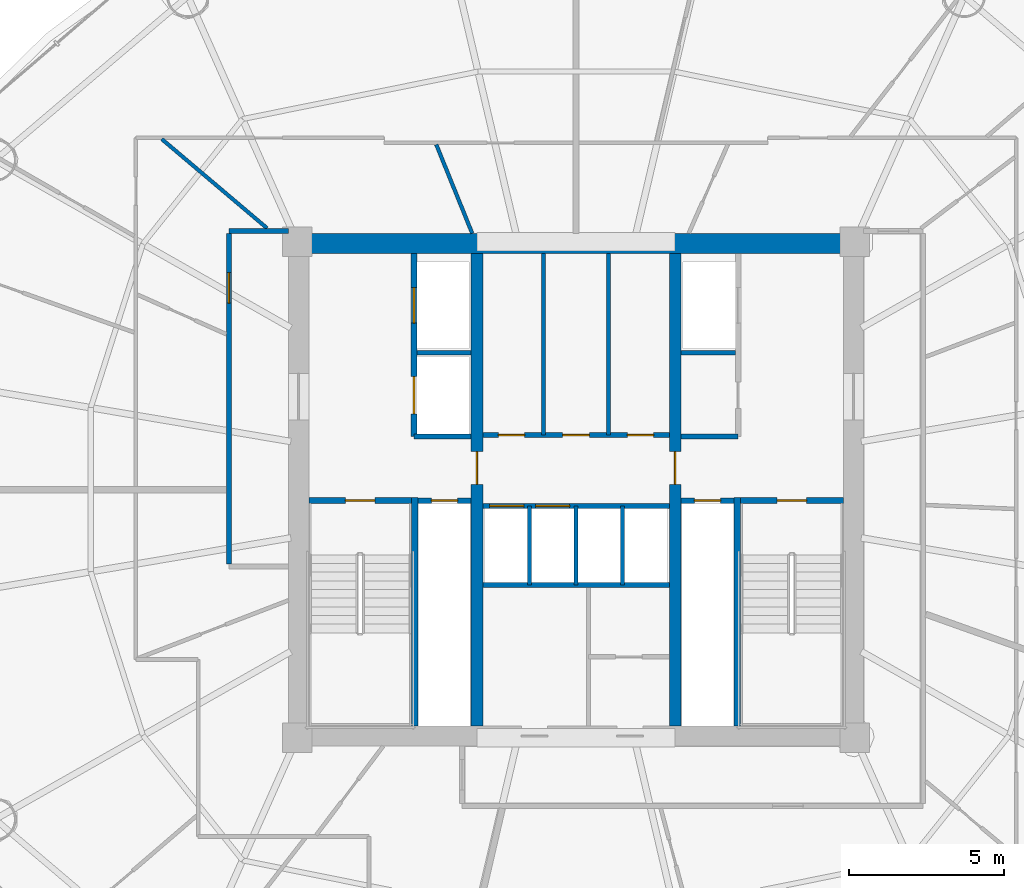
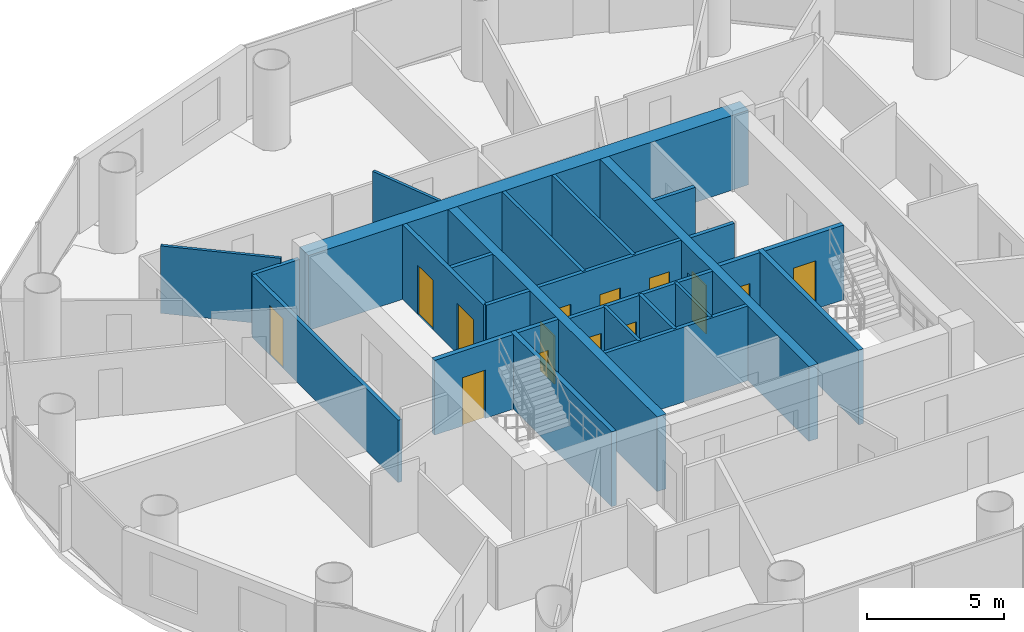
# One storey, part 21 of 26: 26 walls, 14 doors, 14 openings.
"""IFC4 building model written with IfcOpenShell, lengths in metres."""

from ifc_helpers import new_model, si_unit, direction, frame, frame_2d, origin, place, context, subcontext, project, spatial, rectangle, extrude, source, transform, mapped, material, layer, layer_set, type_object, element, fill, save


model = new_model("IFC4")

# Units and contexts
model_context = context("Model", 3, precision=1e-05, world=origin(), true_north=direction((-0.2419218956, 0.970295726276)))
body_context = subcontext(model_context, "Body", "Model", "MODEL_VIEW")
ifc_project = project(units=[si_unit("LENGTHUNIT", "METRE"), si_unit("AREAUNIT", "SQUARE_METRE"), si_unit("VOLUMEUNIT", "CUBIC_METRE"), si_unit("PLANEANGLEUNIT", "RADIAN"), si_unit("MASSUNIT", "GRAM", prefix="KILO")], contexts=[model_context])

# Site, building, storey
site_placement = place(None, origin())
site = spatial("IfcSite", under=ifc_project, at=site_placement, CompositionType="ELEMENT")
building_placement = place(site_placement, origin())
building = spatial("IfcBuilding", under=site, at=building_placement, Name="Cobrevalo Terracotta Tower", CompositionType="ELEMENT")
storey_placement = place(building_placement, frame((0.0, 0.0, 178.60009765625)))
storey = spatial("IfcBuildingStorey", under=building, at=storey_placement, Name="L47", CompositionType="ELEMENT", Elevation=178.60009765625)

# Walls
ifc_material_1 = material(Name="Concrete C55", Category="concrete")
ifc_layer_1 = layer(ifc_material_1, 0.64990234375)
ifc_layer_set_1 = layer_set([ifc_layer_1], Name="Concrete C55")
wall_type_1 = type_object("IfcWallType", Name="Core shear wall 650 mm Concrete C55", PredefinedType="SHEAR", material=ifc_layer_set_1)
wall_1_placement = place(storey_placement, frame((28.72509765625, 34.75, 0.0), z_axis=(0.0, 0.0, 1.0), x_axis=(1.0, 0.0, 0.0)))
element("IfcWall", 1, at=wall_1_placement, inside=storey, type_object=wall_type_1, Name="L47 north core shear wall", PredefinedType="SHEAR", context=body_context, shape_type="SweptSolid", body=[
    extrude(rectangle(XDim=18.5498046875, YDim=0.64990234375, at=frame_2d((9.27490234375, 0.0))), origin(), (0.0, 0.0, 1.0), 3.329833984375),
])
ifc_material_2 = material(Name="Gypsum board on steel stud", Category="steel")
ifc_layer_2 = layer(ifc_material_2, 0.159912109375)
ifc_layer_set_2 = layer_set([ifc_layer_2], Name="Gypsum board on steel stud")
wall_type_2 = type_object("IfcWallType", Name="Fire-rated corridor acoustic partition wall 160 mm", PredefinedType="PARTITIONING", material=ifc_layer_set_2)
wall_2_placement = place(storey_placement, frame((32.860107421875, 31.219970703125, 0.0), z_axis=(0.0, 0.0, 1.0), x_axis=(1.0, 0.0, 0.0)))
element("IfcWall", 2, at=wall_2_placement, inside=storey, type_object=wall_type_2, Name="L47 interior partition IW-L47-FF1-M", PredefinedType="PARTITIONING", context=body_context, shape_type="SweptSolid", body=[
    extrude(rectangle(XDim=1.75, YDim=0.159912109375, at=frame_2d((0.875, 0.0))), origin(), (0.0, 0.0, 1.0), 3.329833984375),
])
wall_3_placement = place(storey_placement, frame((32.77001953125, 28.52001953125, 0.0), z_axis=(0.0, 0.0, 1.0), x_axis=(1.0, 0.0, 0.0)))
element("IfcWall", 3, at=wall_3_placement, inside=storey, type_object=wall_type_2, Name="L47 interior partition IW-L47-FF1-S", PredefinedType="PARTITIONING", context=body_context, shape_type="SweptSolid", body=[
    extrude(rectangle(XDim=1.840087890625, YDim=0.159912109375, at=frame_2d((0.919921875, 0.0))), origin(), (0.0, 0.0, 1.0), 3.329833984375),
])
wall_4_placement = place(storey_placement, frame((41.389892578125, 31.219970703125, 0.0), z_axis=(0.0, 0.0, 1.0), x_axis=(1.0, 0.0, 0.0)))
element("IfcWall", 4, at=wall_4_placement, inside=storey, type_object=wall_type_2, Name="L47 interior partition IW-L47-FF2-M", PredefinedType="PARTITIONING", context=body_context, shape_type="SweptSolid", body=[
    extrude(rectangle(XDim=1.75, YDim=0.159912109375, at=frame_2d((0.875, 0.0))), origin(), (0.0, 0.0, 1.0), 3.329833984375),
])
wall_5_placement = place(storey_placement, frame((41.389892578125, 28.52001953125, 0.0), z_axis=(0.0, 0.0, 1.0), x_axis=(1.0, 0.0, 0.0)))
element("IfcWall", 5, at=wall_5_placement, inside=storey, type_object=wall_type_2, Name="L47 interior partition IW-L47-FF2-S", PredefinedType="PARTITIONING", context=body_context, shape_type="SweptSolid", body=[
    extrude(rectangle(XDim=1.840087890625, YDim=0.159912109375, at=frame_2d((0.919921875, 0.0))), origin(), (0.0, 0.0, 1.0), 3.329833984375),
])

# Wall, openings, doors
wall_6_placement = place(storey_placement, frame((34.989990234375, 28.56005859375, 0.0), z_axis=(0.0, 0.0, 1.0), x_axis=(1.0, 0.0, 0.0)))
wall_6 = element("IfcWall", 6, at=wall_6_placement, inside=storey, type_object=wall_type_2, Name="L47 interior partition IW-L47-LB-S", PredefinedType="PARTITIONING", context=body_context, shape_type="SweptSolid", body=[
    extrude(rectangle(XDim=6.02001953125, YDim=0.159912109375, at=frame_2d((3.010009765625, 0.0))), origin(), (0.0, 0.0, 1.0), 3.329833984375),
])
opening_1_placement = place(wall_6_placement, frame((0.5048828125, 0.0, 0.0)))
opening_1 = element("IfcOpeningElement", 7, at=opening_1_placement, cuts=wall_6, Name="Opening ID-22", PredefinedType="OPENING", context=body_context, shape_type="SweptSolid", body=[
    extrude(rectangle(XDim=0.85009765625, YDim=2.10009765625, at=frame_2d((0.425048828125, 1.050048828125))), frame((0.0, 0.08984375, 0.0), z_axis=(0.0, -1.0, 0.0), x_axis=(1.0, 0.0, 0.0)), (0.0, 0.0, 1.0), 0.179931640625),
])
opening_2_placement = place(wall_6_placement, frame((2.580078125, 0.0, 0.0)))
opening_2 = element("IfcOpeningElement", 8, at=opening_2_placement, cuts=wall_6, Name="Opening ID-07", PredefinedType="OPENING", context=body_context, shape_type="SweptSolid", body=[
    extrude(rectangle(XDim=0.860107421875, YDim=2.10009765625, at=frame_2d((0.43017578125, 1.050048828125))), frame((0.0, 0.08984375, 0.0), z_axis=(0.0, -1.0, 0.0), x_axis=(1.0, 0.0, 0.0)), (0.0, 0.0, 1.0), 0.179931640625),
])
opening_3_placement = place(wall_6_placement, frame((4.6650390625, 0.0, 0.0)))
opening_3 = element("IfcOpeningElement", 9, at=opening_3_placement, cuts=wall_6, Name="Opening ID-22", PredefinedType="OPENING", context=body_context, shape_type="SweptSolid", body=[
    extrude(rectangle(XDim=0.85009765625, YDim=2.10009765625, at=frame_2d((0.425048828125, 1.050048828125))), frame((0.0, 0.08984375, 0.0), z_axis=(0.0, -1.0, 0.0), x_axis=(1.0, 0.0, 0.0)), (0.0, 0.0, 1.0), 0.179931640625),
])
ifc_material_3 = material(Name="Powder-coated steel", Category="steel")
door_type_1 = type_object("IfcDoorType", Name="Riser shaft & meter closet fire access door 850x2100 EI 60", OperationType="NOTDEFINED", PredefinedType="DOOR", material=ifc_material_3)
shared_shape_1 = source(origin(), body_context, "Body", "SweptSolid", [
    extrude(rectangle(XDim=0.85009765625, YDim=2.10009765625, at=frame_2d((0.425048828125, 1.050048828125))), frame((0.0, 0.02490234375, 0.0), z_axis=(0.0, -1.0, 0.0), x_axis=(1.0, 0.0, 0.0)), (0.0, 0.0, 1.0), 0.050048828125),
])
door_1_placement = place(opening_1_placement, origin())
door_1 = element("IfcDoor", 10, at=door_1_placement, inside=storey, type_object=door_type_1, Name="L47 core service door Housekeeping Linen Store", OperationType="SINGLE_SWING_LEFT", OverallHeight=2.10009765625, OverallWidth=0.85009765625, PredefinedType="DOOR", context=body_context, shape_type="MappedRepresentation", body=[
    mapped(shared_shape_1, transform((0.0, 0.0, 0.0), scale=1.0)),
])
fill(opening_1, door_1)
door_2_placement = place(opening_3_placement, origin())
door_2 = element("IfcDoor", 11, at=door_2_placement, inside=storey, type_object=door_type_1, Name="L47 core service door Floor BMS Mechanical Plant", OperationType="SINGLE_SWING_LEFT", OverallHeight=2.10009765625, OverallWidth=0.85009765625, PredefinedType="DOOR", context=body_context, shape_type="MappedRepresentation", body=[
    mapped(shared_shape_1, transform((0.0, 0.0, 0.0), scale=1.0)),
])
fill(opening_3, door_2)
ifc_material_4 = material(Name="Fire-rated moisture-sealed timber", Category="wood")
door_type_2 = type_object("IfcDoorType", Name="Core & podium fire-rated accessible WC door 860x2100 EI 60", OperationType="NOTDEFINED", PredefinedType="DOOR", material=ifc_material_4)
shared_shape_2 = source(origin(), body_context, "Body", "SweptSolid", [
    extrude(rectangle(XDim=0.860107421875, YDim=2.10009765625, at=frame_2d((0.43017578125, 1.050048828125))), frame((0.0, 0.02490234375, 0.0), z_axis=(0.0, -1.0, 0.0), x_axis=(1.0, 0.0, 0.0)), (0.0, 0.0, 1.0), 0.050048828125),
])
door_3_placement = place(opening_2_placement, origin())
door_3 = element("IfcDoor", 12, at=door_3_placement, inside=storey, type_object=door_type_2, Name="L47 core service door Floor Service Toilet WC", OperationType="SINGLE_SWING_RIGHT", OverallHeight=2.10009765625, OverallWidth=0.860107421875, PredefinedType="DOOR", context=body_context, shape_type="MappedRepresentation", body=[
    mapped(shared_shape_2, transform((0.0, 0.0, 0.0), scale=1.0)),
])
fill(opening_2, door_3)

wall_7_placement = place(storey_placement, frame((34.989990234375, 26.280029296875, 0.0), z_axis=(0.0, 0.0, 1.0), x_axis=(1.0, 0.0, 0.0)))
wall_7 = element("IfcWall", 13, at=wall_7_placement, inside=storey, type_object=wall_type_2, Name="L47 interior partition IW-L47-MB-N", PredefinedType="PARTITIONING", context=body_context, shape_type="SweptSolid", body=[
    extrude(rectangle(XDim=6.02001953125, YDim=0.159912109375, at=frame_2d((3.010009765625, 0.0))), origin(), (0.0, 0.0, 1.0), 3.329833984375),
])
opening_4_placement = place(wall_7_placement, frame((0.22509765625, 0.0, 0.0)))
opening_4 = element("IfcOpeningElement", 14, at=opening_4_placement, cuts=wall_7, Name="Opening LD-01", PredefinedType="OPENING", context=body_context, shape_type="SweptSolid", body=[
    extrude(rectangle(XDim=1.10009765625, YDim=2.199951171875, at=frame_2d((0.550048828125, 1.10009765625))), frame((0.0, 0.08984375, 0.0), z_axis=(0.0, -1.0, 0.0), x_axis=(1.0, 0.0, 0.0)), (0.0, 0.0, 1.0), 0.179931640625),
])
opening_5_placement = place(wall_7_placement, frame((1.705078125, 0.0, 0.0)))
opening_5 = element("IfcOpeningElement", 15, at=opening_5_placement, cuts=wall_7, Name="Opening LD-01", PredefinedType="OPENING", context=body_context, shape_type="SweptSolid", body=[
    extrude(rectangle(XDim=1.10009765625, YDim=2.199951171875, at=frame_2d((0.550048828125, 1.10009765625))), frame((0.0, 0.08984375, 0.0), z_axis=(0.0, -1.0, 0.0), x_axis=(1.0, 0.0, 0.0)), (0.0, 0.0, 1.0), 0.179931640625),
])
ifc_material_5 = material(Name="Brushed stainless steel", Category="steel")
door_type_3 = type_object("IfcDoorType", Name="Passenger lift landing bi-parting sliding door 1100x2200 EI 90", OperationType="DOUBLE_DOOR_SLIDING", PredefinedType="DOOR", material=ifc_material_5)
shared_shape_3 = source(origin(), body_context, "Body", "SweptSolid", [
    extrude(rectangle(XDim=1.10009765625, YDim=2.199951171875, at=frame_2d((0.550048828125, 1.10009765625))), frame((0.0, 0.02490234375, 0.0), z_axis=(0.0, -1.0, 0.0), x_axis=(1.0, 0.0, 0.0)), (0.0, 0.0, 1.0), 0.050048828125),
])
door_4_placement = place(opening_4_placement, origin())
door_4 = element("IfcDoor", 16, at=door_4_placement, inside=storey, type_object=door_type_3, Name="L47 lift landing door PL-M1", OperationType="DOUBLE_DOOR_SLIDING", OverallHeight=2.199951171875, OverallWidth=1.10009765625, PredefinedType="DOOR", context=body_context, shape_type="MappedRepresentation", body=[
    mapped(shared_shape_3, transform((0.0, 0.0, 0.0), scale=1.0)),
])
fill(opening_4, door_4)
door_5_placement = place(opening_5_placement, origin())
door_5 = element("IfcDoor", 17, at=door_5_placement, inside=storey, type_object=door_type_3, Name="L47 lift landing door PL-M2", OperationType="DOUBLE_DOOR_SLIDING", OverallHeight=2.199951171875, OverallWidth=1.10009765625, PredefinedType="DOOR", context=body_context, shape_type="MappedRepresentation", body=[
    mapped(shared_shape_3, transform((0.0, 0.0, 0.0), scale=1.0)),
])
fill(opening_5, door_5)

# Wall
wall_8_placement = place(storey_placement, frame((34.989990234375, 23.719970703125, 0.0), z_axis=(0.0, 0.0, 1.0), x_axis=(1.0, 0.0, 0.0)))
element("IfcWall", 18, at=wall_8_placement, inside=storey, type_object=wall_type_2, Name="L47 interior partition IW-L47-MB-S", PredefinedType="PARTITIONING", context=body_context, shape_type="SweptSolid", body=[
    extrude(rectangle(XDim=6.02001953125, YDim=0.159912109375, at=frame_2d((3.010009765625, 0.0))), origin(), (0.0, 0.0, 1.0), 3.329833984375),
])

# Wall, opening, door
wall_9_placement = place(storey_placement, frame((26.794921875, 24.39990234375, 0.0), z_axis=(0.0, 0.0, 1.0), x_axis=(0.0, 1.0, 0.0)))
wall_9 = element("IfcWall", 19, at=wall_9_placement, inside=storey, type_object=wall_type_2, Name="L47 interior partition IW-L47-COR-W", PredefinedType="PARTITIONING", context=body_context, shape_type="SweptSolid", body=[
    extrude(rectangle(XDim=10.675048828125, YDim=0.159912109375, at=frame_2d((5.33740234375, 0.0))), origin(), (0.0, 0.0, 1.0), 2.77587890625),
])
opening_6_placement = place(wall_9_placement, frame((8.422119140625, 0.0, 0.0)))
opening_6 = element("IfcOpeningElement", 20, at=opening_6_placement, cuts=wall_9, Name="Opening ID-05", PredefinedType="OPENING", context=body_context, shape_type="SweptSolid", body=[
    extrude(rectangle(XDim=0.97998046875, YDim=2.199951171875, at=frame_2d((0.489990234375, 1.10009765625))), frame((0.0, 0.08984375, 0.0), z_axis=(0.0, -1.0, 0.0), x_axis=(1.0, 0.0, 0.0)), (0.0, 0.0, 1.0), 0.179931640625),
])
ifc_material_6 = material(Name="Solid hardwood timber", Category="wood")
door_type_4 = type_object("IfcDoorType", Name="Residence entrance fire-rated acoustic timber door 980x2200 EI 60", OperationType="NOTDEFINED", PredefinedType="DOOR", material=ifc_material_6)
shared_shape_4 = source(origin(), body_context, "Body", "SweptSolid", [
    extrude(rectangle(XDim=0.97998046875, YDim=2.199951171875, at=frame_2d((0.489990234375, 1.10009765625))), frame((0.0, 0.02490234375, 0.0), z_axis=(0.0, -1.0, 0.0), x_axis=(1.0, 0.0, 0.0)), (0.0, 0.0, 1.0), 0.050048828125),
])
door_6_placement = place(opening_6_placement, origin())
door_6 = element("IfcDoor", 21, at=door_6_placement, inside=storey, type_object=door_type_4, Name="Flat L47B fire-rated apartment entrance door", OperationType="SINGLE_SWING_LEFT", OverallHeight=2.199951171875, OverallWidth=0.97998046875, PredefinedType="DOOR", context=body_context, shape_type="MappedRepresentation", body=[
    mapped(shared_shape_4, transform((0.0, 0.0, 0.0), scale=1.0)),
])
fill(opening_6, door_6)

# Wall
wall_10_placement = place(storey_placement, frame((26.794921875, 35.155029296875, 0.0), z_axis=(0.0, 0.0, 1.0), x_axis=(1.0, 0.0, 0.0)))
element("IfcWall", 22, at=wall_10_placement, inside=storey, type_object=wall_type_2, Name="L47 interior partition IW-L47-COR-WN-CAP", PredefinedType="PARTITIONING", context=body_context, shape_type="SweptSolid", body=[
    extrude(rectangle(XDim=1.93017578125, YDim=0.159912109375, at=frame_2d((0.965087890625, 0.0))), origin(), (0.0, 0.0, 1.0), 2.77587890625),
])

# Wall, opening, door
ifc_layer_3 = layer(ifc_material_2, 0.179931640625)
ifc_layer_set_3 = layer_set([ifc_layer_3], Name="Gypsum board on steel stud")
wall_type_3 = type_object("IfcWallType", Name="Fire-rated shaft & lobby acoustic partition wall 180 mm", PredefinedType="PARTITIONING", material=ifc_layer_set_3)
wall_11_placement = place(storey_placement, frame((32.89990234375, 26.449951171875, 0.0), z_axis=(0.0, 0.0, 1.0), x_axis=(1.0, 0.0, 0.0)))
wall_11 = element("IfcWall", 23, at=wall_11_placement, inside=storey, type_object=wall_type_3, Name="L47 interior partition IW-L47-RSW-N", PredefinedType="PARTITIONING", context=body_context, shape_type="SweptSolid", body=[
    extrude(rectangle(XDim=1.710205078125, YDim=0.179931640625, at=frame_2d((0.85498046875, 0.0))), origin(), (0.0, 0.0, 1.0), 3.329833984375),
])
opening_7_placement = place(wall_11_placement, frame((0.429931640625, 0.0, 0.0)))
opening_7 = element("IfcOpeningElement", 24, at=opening_7_placement, cuts=wall_11, Name="Opening ID-22", PredefinedType="OPENING", context=body_context, shape_type="SweptSolid", body=[
    extrude(rectangle(XDim=0.85009765625, YDim=2.10009765625, at=frame_2d((0.425048828125, 1.050048828125))), frame((0.0, 0.10009765625, 0.0), z_axis=(0.0, -1.0, 0.0), x_axis=(1.0, 0.0, 0.0)), (0.0, 0.0, 1.0), 0.199951171875),
])
door_7_placement = place(opening_7_placement, origin())
door_7 = element("IfcDoor", 25, at=door_7_placement, inside=storey, type_object=door_type_1, Name="L47 riser access door RSW", OperationType="SINGLE_SWING_LEFT", OverallHeight=2.10009765625, OverallWidth=0.85009765625, PredefinedType="DOOR", context=body_context, shape_type="MappedRepresentation", body=[
    mapped(shared_shape_1, transform((0.0, 0.0, 0.0), scale=1.0)),
])
fill(opening_7, door_7)

wall_12_placement = place(storey_placement, frame((41.389892578125, 26.449951171875, 0.0), z_axis=(0.0, 0.0, 1.0), x_axis=(1.0, 0.0, 0.0)))
wall_12 = element("IfcWall", 26, at=wall_12_placement, inside=storey, type_object=wall_type_3, Name="L47 interior partition IW-L47-RSE-N", PredefinedType="PARTITIONING", context=body_context, shape_type="SweptSolid", body=[
    extrude(rectangle(XDim=1.710205078125, YDim=0.179931640625, at=frame_2d((0.85498046875, 0.0))), origin(), (0.0, 0.0, 1.0), 3.329833984375),
])
opening_8_placement = place(wall_12_placement, frame((0.429931640625, 0.0, 0.0)))
opening_8 = element("IfcOpeningElement", 27, at=opening_8_placement, cuts=wall_12, Name="Opening ID-22", PredefinedType="OPENING", context=body_context, shape_type="SweptSolid", body=[
    extrude(rectangle(XDim=0.85009765625, YDim=2.10009765625, at=frame_2d((0.425048828125, 1.050048828125))), frame((0.0, 0.10009765625, 0.0), z_axis=(0.0, -1.0, 0.0), x_axis=(1.0, 0.0, 0.0)), (0.0, 0.0, 1.0), 0.199951171875),
])
door_8_placement = place(opening_8_placement, origin())
door_8 = element("IfcDoor", 28, at=door_8_placement, inside=storey, type_object=door_type_1, Name="L47 riser access door RSE", OperationType="SINGLE_SWING_RIGHT", OverallHeight=2.10009765625, OverallWidth=0.85009765625, PredefinedType="DOOR", context=body_context, shape_type="MappedRepresentation", body=[
    mapped(shared_shape_1, transform((0.0, 0.0, 0.0), scale=1.0)),
])
fill(opening_8, door_8)

# Wall, openings, doors
wall_13_placement = place(storey_placement, frame((32.77001953125, 28.52001953125, 0.0), z_axis=(0.0, 0.0, 1.0), x_axis=(0.0, 1.0, 0.0)))
wall_13 = element("IfcWall", 29, at=wall_13_placement, inside=storey, type_object=wall_type_3, Name="L47 interior partition IW-L47-FF1-W", PredefinedType="PARTITIONING", context=body_context, shape_type="SweptSolid", body=[
    extrude(rectangle(XDim=5.905029296875, YDim=0.179931640625, at=frame_2d((2.95263671875, 0.0))), origin(), (0.0, 0.0, 1.0), 3.329833984375),
])
opening_9_placement = place(wall_13_placement, frame((3.655029296875, 0.0, 0.0)))
opening_9 = element("IfcOpeningElement", 30, at=opening_9_placement, cuts=wall_13, Name="Opening LD-02", PredefinedType="OPENING", context=body_context, shape_type="SweptSolid", body=[
    extrude(rectangle(XDim=1.14990234375, YDim=2.199951171875, at=frame_2d((0.574951171875, 1.10009765625))), frame((0.0, 0.10009765625, 0.0), z_axis=(0.0, -1.0, 0.0), x_axis=(1.0, 0.0, 0.0)), (0.0, 0.0, 1.0), 0.199951171875),
])
opening_10_placement = place(wall_13_placement, frame((0.72998046875, 0.0, 0.0)))
opening_10 = element("IfcOpeningElement", 31, at=opening_10_placement, cuts=wall_13, Name="Opening LD-03", PredefinedType="OPENING", context=body_context, shape_type="SweptSolid", body=[
    extrude(rectangle(XDim=1.199951171875, YDim=2.25, at=frame_2d((0.60009765625, 1.125))), frame((0.0, 0.10009765625, 0.0), z_axis=(0.0, -1.0, 0.0), x_axis=(1.0, 0.0, 0.0)), (0.0, 0.0, 1.0), 0.199951171875),
])
door_type_5 = type_object("IfcDoorType", Name="Firefighting lift landing bi-parting sliding door 1150x2200 EI 120", OperationType="DOUBLE_DOOR_SLIDING", PredefinedType="DOOR", material=ifc_material_5)
shared_shape_5 = source(origin(), body_context, "Body", "SweptSolid", [
    extrude(rectangle(XDim=1.14990234375, YDim=2.199951171875, at=frame_2d((0.574951171875, 1.10009765625))), frame((0.0, 0.02490234375, 0.0), z_axis=(0.0, -1.0, 0.0), x_axis=(1.0, 0.0, 0.0)), (0.0, 0.0, 1.0), 0.050048828125),
])
door_9_placement = place(opening_9_placement, origin())
door_9 = element("IfcDoor", 32, at=door_9_placement, inside=storey, type_object=door_type_5, Name="L47 lift landing door FF-1", OperationType="DOUBLE_DOOR_SLIDING", OverallHeight=2.199951171875, OverallWidth=1.14990234375, PredefinedType="DOOR", context=body_context, shape_type="MappedRepresentation", body=[
    mapped(shared_shape_5, transform((0.0, 0.0, 0.0), scale=1.0)),
])
fill(opening_9, door_9)
door_type_6 = type_object("IfcDoorType", Name="Service lift landing bi-parting sliding door 1200x2250 EI 120", OperationType="DOUBLE_DOOR_SLIDING", PredefinedType="DOOR", material=ifc_material_5)
shared_shape_6 = source(origin(), body_context, "Body", "SweptSolid", [
    extrude(rectangle(XDim=1.199951171875, YDim=2.25, at=frame_2d((0.60009765625, 1.125))), frame((0.0, 0.02490234375, 0.0), z_axis=(0.0, -1.0, 0.0), x_axis=(1.0, 0.0, 0.0)), (0.0, 0.0, 1.0), 0.050048828125),
])
door_10_placement = place(opening_10_placement, origin())
door_10 = element("IfcDoor", 33, at=door_10_placement, inside=storey, type_object=door_type_6, Name="L47 lift landing door SV-1", OperationType="DOUBLE_DOOR_SLIDING", OverallHeight=2.25, OverallWidth=1.199951171875, PredefinedType="DOOR", context=body_context, shape_type="MappedRepresentation", body=[
    mapped(shared_shape_6, transform((0.0, 0.0, 0.0), scale=1.0)),
])
fill(opening_10, door_10)

# Walls
ifc_material_7 = material(Name="Autoclaved aerated concrete block", Category="concrete")
ifc_layer_4 = layer(ifc_material_7, 0.1201171875)
ifc_layer_set_4 = layer_set([ifc_layer_4], Name="Autoclaved aerated concrete block")
wall_type_4 = type_object("IfcWallType", Name="Fire-rated wet-room & core service partition 120 mm", PredefinedType="PARTITIONING", material=ifc_layer_set_4)
for number, where, z_axis, x_axis, name in (
    (34, (36.5, 23.719970703125, 0.0), (0.0, 0.0, 1.0), (0.0, 1.0, 0.0), "L47 interior partition IW-L47-MB-D1"),
    (35, (39.5, 23.719970703125, 0.0), (0.0, 0.0, 1.0), (0.0, 1.0, 0.0), "L47 interior partition IW-L47-MB-D3"),
):
    element("IfcWall", number, at=place(storey_placement, frame(where, z_axis=z_axis, x_axis=x_axis)), inside=storey, type_object=wall_type_4, Name=name, PredefinedType="PARTITIONING", context=body_context, shape_type="SweptSolid", body=[
        extrude(rectangle(XDim=2.56005859375, YDim=0.1201171875, at=frame_2d((1.280029296875, 0.0))), origin(), (0.0, 0.0, 1.0), 3.329833984375),
    ])

# Wall, opening, door
ifc_material_8 = material(Name="Concrete C50", Category="concrete")
ifc_layer_5 = layer(ifc_material_8, 0.3798828125)
ifc_layer_set_5 = layer_set([ifc_layer_5], Name="Concrete C50")
wall_type_5 = type_object("IfcWallType", Name="Internal core shear web wall 380 mm Concrete C50", PredefinedType="SHEAR", material=ifc_layer_set_5)
wall_14_placement = place(storey_placement, frame((34.800048828125, 19.175048828125, 0.0), z_axis=(0.0, 0.0, 1.0), x_axis=(0.0, 1.0, 0.0)))
wall_14 = element("IfcWall", 36, at=wall_14_placement, inside=storey, type_object=wall_type_5, Name="L47 internal core shear wall WEB-W", PredefinedType="SHEAR", context=body_context, shape_type="SweptSolid", body=[
    extrude(rectangle(XDim=15.25, YDim=0.3798828125, at=frame_2d((7.625, 0.0))), origin(), (0.0, 0.0, 1.0), 3.329833984375),
])
opening_11_placement = place(wall_14_placement, frame((7.800048828125, 0.0, 0.0)))
opening_11 = element("IfcOpeningElement", 37, at=opening_11_placement, cuts=wall_14, Name="Opening ID-11", PredefinedType="OPENING", context=body_context, shape_type="SweptSolid", body=[
    extrude(rectangle(XDim=1.050048828125, YDim=2.14990234375, at=frame_2d((0.52490234375, 1.074951171875))), frame((0.0, 0.199951171875, 0.0), z_axis=(0.0, -1.0, 0.0), x_axis=(1.0, 0.0, 0.0)), (0.0, 0.0, 1.0), 0.39990234375),
])
ifc_material_9 = material(Name="Galvanized fire-rated steel", Category="steel")
door_type_7 = type_object("IfcDoorType", Name="Core concourse cross fire door 1050x2150 EI 90", OperationType="NOTDEFINED", PredefinedType="DOOR", material=ifc_material_9)
shared_shape_7 = source(origin(), body_context, "Body", "SweptSolid", [
    extrude(rectangle(XDim=1.050048828125, YDim=2.14990234375, at=frame_2d((0.52490234375, 1.074951171875))), frame((0.0, 0.02490234375, 0.0), z_axis=(0.0, -1.0, 0.0), x_axis=(1.0, 0.0, 0.0)), (0.0, 0.0, 1.0), 0.050048828125),
])
door_11_placement = place(opening_11_placement, origin())
door_11 = element("IfcDoor", 38, at=door_11_placement, inside=storey, type_object=door_type_7, Name="L47 west core concourse cross door", OperationType="SINGLE_SWING_LEFT", OverallHeight=2.14990234375, OverallWidth=1.050048828125, PredefinedType="DOOR", context=body_context, shape_type="MappedRepresentation", body=[
    mapped(shared_shape_7, transform((0.0, 0.0, 0.0), scale=1.0)),
])
fill(opening_11, door_11)

wall_15_placement = place(storey_placement, frame((41.199951171875, 19.175048828125, 0.0), z_axis=(0.0, 0.0, 1.0), x_axis=(0.0, 1.0, 0.0)))
wall_15 = element("IfcWall", 39, at=wall_15_placement, inside=storey, type_object=wall_type_5, Name="L47 internal core shear wall WEB-E", PredefinedType="SHEAR", context=body_context, shape_type="SweptSolid", body=[
    extrude(rectangle(XDim=15.25, YDim=0.3798828125, at=frame_2d((7.625, 0.0))), origin(), (0.0, 0.0, 1.0), 3.329833984375),
])
opening_12_placement = place(wall_15_placement, frame((7.800048828125, 0.0, 0.0)))
opening_12 = element("IfcOpeningElement", 40, at=opening_12_placement, cuts=wall_15, Name="Opening ID-11", PredefinedType="OPENING", context=body_context, shape_type="SweptSolid", body=[
    extrude(rectangle(XDim=1.050048828125, YDim=2.14990234375, at=frame_2d((0.52490234375, 1.074951171875))), frame((0.0, 0.199951171875, 0.0), z_axis=(0.0, -1.0, 0.0), x_axis=(1.0, 0.0, 0.0)), (0.0, 0.0, 1.0), 0.39990234375),
])
door_12_placement = place(opening_12_placement, frame((1.050048828125, 0.0, 0.0), z_axis=(0.0, 0.0, 1.0), x_axis=(-1.0, 0.0, 0.0)))
door_12 = element("IfcDoor", 41, at=door_12_placement, inside=storey, type_object=door_type_7, Name="L47 east core concourse cross door", OperationType="SINGLE_SWING_RIGHT", OverallHeight=2.14990234375, OverallWidth=1.050048828125, PredefinedType="DOOR", context=body_context, shape_type="MappedRepresentation", body=[
    mapped(shared_shape_7, transform((0.0, 0.0, 0.0), scale=1.0)),
])
fill(opening_12, door_12)

# Walls
ifc_layer_6 = layer(ifc_material_7, 0.139892578125)
ifc_layer_set_6 = layer_set([ifc_layer_6], Name="Autoclaved aerated concrete block")
wall_type_6 = type_object("IfcWallType", Name="Moisture-resistant wet-room & core service partition 140 mm", PredefinedType="PARTITIONING", material=ifc_layer_set_6)
for number, where, z_axis, x_axis, name in (
    (42, (36.949951171875, 28.56005859375, 0.0), (0.0, 0.0, 1.0), (0.0, 1.0, 0.0), "L47 interior partition IW-L47-KVN-A"),
    (43, (39.050048828125, 28.56005859375, 0.0), (0.0, 0.0, 1.0), (0.0, 1.0, 0.0), "L47 interior partition IW-L47-KVN-B"),
):
    element("IfcWall", number, at=place(storey_placement, frame(where, z_axis=z_axis, x_axis=x_axis)), inside=storey, type_object=wall_type_6, Name=name, PredefinedType="PARTITIONING", context=body_context, shape_type="SweptSolid", body=[
        extrude(rectangle(XDim=5.864990234375, YDim=0.139892578125, at=frame_2d((2.9326171875, 0.0))), origin(), (0.0, 0.0, 1.0), 3.329833984375),
    ])
wall_16_placement = place(storey_placement, frame((38.0, 23.719970703125, 0.0), z_axis=(0.0, 0.0, 1.0), x_axis=(0.0, 1.0, 0.0)))
element("IfcWall", 44, at=wall_16_placement, inside=storey, type_object=wall_type_6, Name="L47 interior partition IW-L47-MB-D2", PredefinedType="PARTITIONING", context=body_context, shape_type="SweptSolid", body=[
    extrude(rectangle(XDim=2.56005859375, YDim=0.139892578125, at=frame_2d((1.280029296875, 0.0))), origin(), (0.0, 0.0, 1.0), 3.329833984375),
])
ifc_layer_7 = layer(ifc_material_2, 0.1201171875)
ifc_layer_set_7 = layer_set([ifc_layer_7], Name="Gypsum board on steel stud")
wall_type_7 = type_object("IfcWallType", Name="Residential internal acoustic stud partition 120 mm", PredefinedType="PARTITIONING", material=ifc_layer_set_7)
wall_17_placement = place(storey_placement, frame((34.64892578125, 35.074951171875, 0.0), z_axis=(0.0, 0.0, 1.0), x_axis=(-0.375339921816, 0.926887233212, 0.0)))
element("IfcWall", 45, at=wall_17_placement, inside=storey, type_object=wall_type_7, Name="L47 interior partition IW-L47-U2-IRAD1", PredefinedType="PARTITIONING", context=body_context, shape_type="SweptSolid", body=[
    extrude(rectangle(XDim=3.08837890625, YDim=0.1201171875, at=frame_2d((1.544189453125, 0.0))), origin(), (0.0, 0.0, 1.0), 3.329833984375),
])
wall_18_placement = place(storey_placement, frame((28.032470703125, 35.236328125, 0.0), z_axis=(0.0, 0.0, 1.0), x_axis=(-0.763321857138, 0.646018376221, 0.0)))
element("IfcWall", 46, at=wall_18_placement, inside=storey, type_object=wall_type_7, Name="L47 interior partition IW-L47-U2-IRAD2", PredefinedType="PARTITIONING", context=body_context, shape_type="SweptSolid", body=[
    extrude(rectangle(XDim=4.4560546875, YDim=0.1201171875, at=frame_2d((2.22802734375, 0.0))), origin(), (0.0, 0.0, 1.0), 3.0048828125),
])
ifc_layer_8 = layer(ifc_material_8, 0.199951171875)
ifc_layer_set_8 = layer_set([ifc_layer_8], Name="Concrete C50")
wall_type_8 = type_object("IfcWallType", Name="Structural core & podium stair-shaft RC wall 200 mm Concrete C50", PredefinedType="SOLIDWALL", material=ifc_layer_set_8)
wall_19_placement = place(storey_placement, frame((32.794921875, 19.175048828125, 0.0), z_axis=(0.0, 0.0, 1.0), x_axis=(0.0, 1.0, 0.0)))
element("IfcWall", 47, at=wall_19_placement, inside=storey, type_object=wall_type_8, Name="L47 ST-1 east structural shaft wall", PredefinedType="SOLIDWALL", context=body_context, shape_type="SweptSolid", body=[
    extrude(rectangle(XDim=7.375, YDim=0.199951171875, at=frame_2d((3.6875, 0.0))), origin(), (0.0, 0.0, 1.0), 3.329833984375),
])

# Wall, opening, door
wall_20_placement = place(storey_placement, frame((29.375, 26.449951171875, 0.0), z_axis=(0.0, 0.0, 1.0), x_axis=(1.0, 0.0, 0.0)))
wall_20 = element("IfcWall", 48, at=wall_20_placement, inside=storey, type_object=wall_type_8, Name="L47 ST-1 north structural shaft wall", PredefinedType="SOLIDWALL", context=body_context, shape_type="SweptSolid", body=[
    extrude(rectangle(XDim=3.320068359375, YDim=0.199951171875, at=frame_2d((1.66015625, 0.0))), origin(), (0.0, 0.0, 1.0), 3.329833984375),
])
opening_13_placement = place(wall_20_placement, frame((1.18505859375, 0.0, 0.0)))
opening_13 = element("IfcOpeningElement", 49, at=opening_13_placement, cuts=wall_20, Name="Opening ID-04", PredefinedType="OPENING", context=body_context, shape_type="SweptSolid", body=[
    extrude(rectangle(XDim=0.949951171875, YDim=2.14990234375, at=frame_2d((0.47509765625, 1.074951171875))), frame((0.0, 0.10986328125, 0.0), z_axis=(0.0, -1.0, 0.0), x_axis=(1.0, 0.0, 0.0)), (0.0, 0.0, 1.0), 0.219970703125),
])
door_type_8 = type_object("IfcDoorType", Name="Stair & firefighting lobby fire door 950x2150 EI 90", OperationType="NOTDEFINED", PredefinedType="DOOR", material=ifc_material_9)
shared_shape_8 = source(origin(), body_context, "Body", "SweptSolid", [
    extrude(rectangle(XDim=0.949951171875, YDim=2.14990234375, at=frame_2d((0.47509765625, 1.074951171875))), frame((0.0, 0.02490234375, 0.0), z_axis=(0.0, -1.0, 0.0), x_axis=(1.0, 0.0, 0.0)), (0.0, 0.0, 1.0), 0.050048828125),
])
door_13_placement = place(opening_13_placement, origin())
door_13 = element("IfcDoor", 50, at=door_13_placement, inside=storey, type_object=door_type_8, Name="L47 protected stair ST1 fire door", OperationType="SINGLE_SWING_LEFT", OverallHeight=2.14990234375, OverallWidth=0.949951171875, PredefinedType="DOOR", context=body_context, shape_type="MappedRepresentation", body=[
    mapped(shared_shape_8, transform((0.0, 0.0, 0.0), scale=1.0)),
])
fill(opening_13, door_13)

# Wall
wall_21_placement = place(storey_placement, frame((43.205078125, 19.175048828125, 0.0), z_axis=(0.0, 0.0, 1.0), x_axis=(0.0, 1.0, 0.0)))
element("IfcWall", 51, at=wall_21_placement, inside=storey, type_object=wall_type_8, Name="L47 ST-2 west structural shaft wall", PredefinedType="SOLIDWALL", context=body_context, shape_type="SweptSolid", body=[
    extrude(rectangle(XDim=7.375, YDim=0.199951171875, at=frame_2d((3.6875, 0.0))), origin(), (0.0, 0.0, 1.0), 3.329833984375),
])

# Wall, opening, door
wall_22_placement = place(storey_placement, frame((43.304931640625, 26.449951171875, 0.0), z_axis=(0.0, 0.0, 1.0), x_axis=(1.0, 0.0, 0.0)))
wall_22 = element("IfcWall", 52, at=wall_22_placement, inside=storey, type_object=wall_type_8, Name="L47 ST-2 north structural shaft wall", PredefinedType="SOLIDWALL", context=body_context, shape_type="SweptSolid", body=[
    extrude(rectangle(XDim=3.320068359375, YDim=0.199951171875, at=frame_2d((1.66015625, 0.0))), origin(), (0.0, 0.0, 1.0), 3.329833984375),
])
opening_14_placement = place(wall_22_placement, frame((1.18505859375, 0.0, 0.0)))
opening_14 = element("IfcOpeningElement", 53, at=opening_14_placement, cuts=wall_22, Name="Opening ID-04", PredefinedType="OPENING", context=body_context, shape_type="SweptSolid", body=[
    extrude(rectangle(XDim=0.949951171875, YDim=2.14990234375, at=frame_2d((0.47509765625, 1.074951171875))), frame((0.0, 0.10986328125, 0.0), z_axis=(0.0, -1.0, 0.0), x_axis=(1.0, 0.0, 0.0)), (0.0, 0.0, 1.0), 0.219970703125),
])
door_14_placement = place(opening_14_placement, frame((0.949951171875, 0.0, 0.0), z_axis=(0.0, 0.0, 1.0), x_axis=(-1.0, 0.0, 0.0)))
door_14 = element("IfcDoor", 54, at=door_14_placement, inside=storey, type_object=door_type_8, Name="L47 protected stair ST2 fire door", OperationType="SINGLE_SWING_RIGHT", OverallHeight=2.14990234375, OverallWidth=0.949951171875, PredefinedType="DOOR", context=body_context, shape_type="MappedRepresentation", body=[
    mapped(shared_shape_8, transform((0.0, 0.0, 0.0), scale=1.0)),
])
fill(opening_14, door_14)

save(model, "model.ifc")
